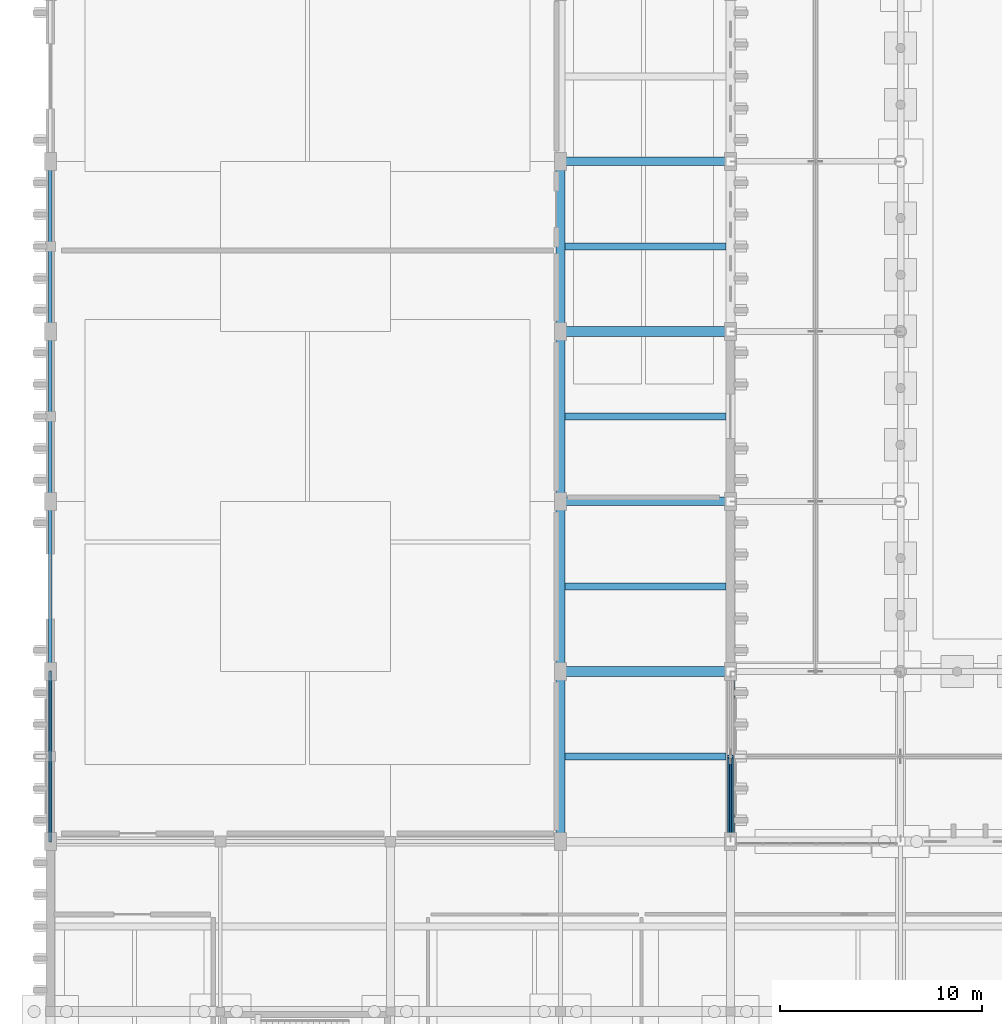
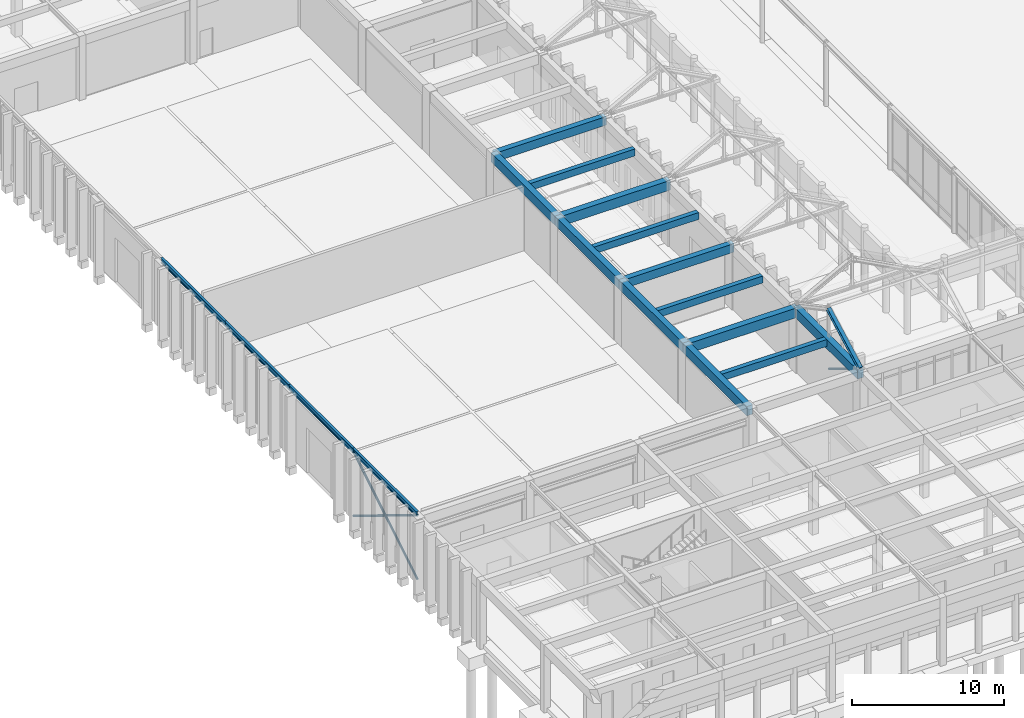
# One storey, part 27 of 143: 17 beams, 5 members.
"""IFC4 building model written with IfcOpenShell, lengths in metres."""

from ifc_helpers import new_model, si_unit, direction, frame, origin, origin_2d, place, context, subcontext, project, spatial, rectangle, hollow_circle, i_section, extrude, material, material_profile, profile_set, type_object, element, save


model = new_model("IFC4")

# Units and contexts
model_context = context("Model", 3, precision=1e-05, world=origin(), true_north=direction((0.0, 1.0)))
body_context = subcontext(model_context, "Body", "Model", "MODEL_VIEW")
ifc_project = project(units=[si_unit("LENGTHUNIT", "METRE"), si_unit("AREAUNIT", "SQUARE_METRE"), si_unit("VOLUMEUNIT", "CUBIC_METRE"), si_unit("PLANEANGLEUNIT", "RADIAN"), si_unit("MASSUNIT", "GRAM", prefix="KILO")], contexts=[model_context])

# Site, building, storey
site_placement = place(None, origin())
site = spatial("IfcSite", under=ifc_project, at=site_placement, CompositionType="ELEMENT")
building_placement = place(site_placement, origin())
building = spatial("IfcBuilding", under=site, at=building_placement, Name="Kveldsbrygga Polytechnic", CompositionType="ELEMENT")
storey_placement = place(building_placement, origin())
storey = spatial("IfcBuildingStorey", under=building, at=storey_placement, Name="L00", CompositionType="ELEMENT", Elevation=0.0)

# Beams
ifc_material_1 = material(Name="Concrete C35/45", Category="concrete")
ifc_material_profile_1 = material_profile(ifc_material_1, rectangle(XDim=0.419921875, YDim=0.679931640625, at=origin_2d()), Name="RC 420x680")
ifc_profile_set_1 = profile_set([ifc_material_profile_1], Name="Concrete C35/45")
beam_type_1 = type_object("IfcBeamType", Name="BM-RC-420x680", PredefinedType="BEAM", material=ifc_profile_set_1)
for number, where, z_axis, x_axis, name in (
    (1, (25.199951171875, 42.0, 4.760009765625), (1.0, 0.0, 0.0), (0.0, 1.0, 0.0), "Primary Beam BMX-L00-03to04-05"),
    (2, (25.199951171875, 58.800048828125, 4.760009765625), (1.0, 0.0, 0.0), (0.0, 1.0, 0.0), "Primary Beam BMX-L00-03to04-07"),
):
    element("IfcBeam", number, at=place(storey_placement, frame(where, z_axis=z_axis, x_axis=x_axis)), inside=storey, type_object=beam_type_1, Name=name, PredefinedType="BEAM", context=body_context, shape_type="SweptSolid", body=[
        extrude(rectangle(XDim=0.419921875, YDim=0.679931640625, at=origin_2d()), origin(), (0.0, 0.0, 1.0), 8.400146484375),
    ])
ifc_material_profile_2 = material_profile(ifc_material_1, rectangle(XDim=0.449951171875, YDim=0.75, at=origin_2d()), Name="RC 450x750")
ifc_profile_set_2 = profile_set([ifc_material_profile_2], Name="Concrete C35/45")
beam_type_2 = type_object("IfcBeamType", Name="BM-RC-450x750", PredefinedType="BEAM", material=ifc_profile_set_2)
beam_1_placement = place(storey_placement, frame((25.199951171875, 25.199951171875, 4.72509765625), z_axis=(0.0, 1.0, 0.0), x_axis=(-1.0, 0.0, 0.0)))
element("IfcBeam", 3, at=beam_1_placement, inside=storey, type_object=beam_type_2, Name="Primary Beam BMY-L00-03-03to04", PredefinedType="BEAM", context=body_context, shape_type="SweptSolid", body=[
    extrude(rectangle(XDim=0.449951171875, YDim=0.75, at=origin_2d()), origin(), (0.0, 0.0, 1.0), 8.400146484375),
])
for number, where, z_axis, x_axis, name in (
    (4, (25.199951171875, 33.60009765625, 4.72509765625), (0.0, 1.0, 0.0), (-1.0, 0.0, 0.0), "Primary Beam BMY-L00-03-04to05"),
    (5, (25.199951171875, 42.0, 4.72509765625), (0.0, 1.0, 0.0), (-1.0, 0.0, 0.0), "Primary Beam BMY-L00-03-05to06"),
):
    element("IfcBeam", number, at=place(storey_placement, frame(where, z_axis=z_axis, x_axis=x_axis)), inside=storey, type_object=beam_type_2, Name=name, PredefinedType="BEAM", context=body_context, shape_type="SweptSolid", body=[
        extrude(rectangle(XDim=0.449951171875, YDim=0.75, at=origin_2d()), origin(), (0.0, 0.0, 1.0), 8.39990234375),
    ])
for number, where, z_axis, x_axis, name in (
    (6, (25.199951171875, 50.39990234375, 4.72509765625), (0.0, 1.0, 0.0), (-1.0, 0.0, 0.0), "Primary Beam BMY-L00-03-06to07"),
    (7, (33.60009765625, 25.199951171875, 4.72509765625), (0.0, 1.0, 0.0), (-1.0, 0.0, 0.0), "Primary Beam BMY-L00-04-03to04"),
):
    element("IfcBeam", number, at=place(storey_placement, frame(where, z_axis=z_axis, x_axis=x_axis)), inside=storey, type_object=beam_type_2, Name=name, PredefinedType="BEAM", context=body_context, shape_type="SweptSolid", body=[
        extrude(rectangle(XDim=0.449951171875, YDim=0.75, at=origin_2d()), origin(), (0.0, 0.0, 1.0), 8.400146484375),
    ])
ifc_material_profile_3 = material_profile(ifc_material_1, rectangle(XDim=0.47998046875, YDim=0.780029296875, at=origin_2d()), Name="RC 480x780")
ifc_profile_set_3 = profile_set([ifc_material_profile_3], Name="Concrete C35/45")
beam_type_3 = type_object("IfcBeamType", Name="BM-RC-480x780", PredefinedType="BEAM", material=ifc_profile_set_3)
for number, where, z_axis, x_axis, name in (
    (8, (25.199951171875, 33.60009765625, 4.7099609375), (1.0, 0.0, 0.0), (0.0, 1.0, 0.0), "Primary Beam BMX-L00-03to04-04"),
    (9, (25.199951171875, 50.39990234375, 4.7099609375), (1.0, 0.0, 0.0), (0.0, 1.0, 0.0), "Primary Beam BMX-L00-03to04-06"),
):
    element("IfcBeam", number, at=place(storey_placement, frame(where, z_axis=z_axis, x_axis=x_axis)), inside=storey, type_object=beam_type_3, Name=name, PredefinedType="BEAM", context=body_context, shape_type="SweptSolid", body=[
        extrude(rectangle(XDim=0.47998046875, YDim=0.780029296875, at=origin_2d()), origin(), (0.0, 0.0, 1.0), 8.400146484375),
    ])
ifc_material_2 = material(Name="Steel S355", Category="steel")
ifc_material_profile_4 = material_profile(ifc_material_2, i_section(OverallWidth=0.179931640625, OverallDepth=0.39990234375, WebThickness=0.008544921875, FlangeThickness=0.013427734375, FilletRadius=0.02099609375, at=origin_2d()), Name="IPE 400")
ifc_profile_set_4 = profile_set([ifc_material_profile_4], Name="Steel S355")
beam_type_4 = type_object("IfcBeamType", Name="BM-STL-IPE400", PredefinedType="BEAM", material=ifc_profile_set_4)
beam_2_placement = place(storey_placement, frame((0.0, 25.199951171875, 5.239990234375), z_axis=(0.0, 1.0, 0.0), x_axis=(-1.0, 0.0, 0.0)))
element("IfcBeam", 10, at=beam_2_placement, inside=storey, type_object=beam_type_4, Name="Workshop Perimeter Girt Beam BMY-V1GRT-L00-W-03", PredefinedType="BEAM", context=body_context, shape_type="SweptSolid", body=[
    extrude(i_section(OverallWidth=0.179931640625, OverallDepth=0.39990234375, WebThickness=0.008544921875, FlangeThickness=0.013427734375, FilletRadius=0.02099609375, at=origin_2d()), origin(), (0.0, 0.0, 1.0), 8.400146484375),
])
for number, where, z_axis, x_axis, name in (
    (11, (0.0, 33.60009765625, 5.239990234375), (0.0, 1.0, 0.0), (-1.0, 0.0, 0.0), "Workshop Perimeter Girt Beam BMY-V1GRT-L00-W-04"),
    (12, (0.0, 42.0, 5.239990234375), (0.0, 1.0, 0.0), (-1.0, 0.0, 0.0), "Workshop Perimeter Girt Beam BMY-V1GRT-L00-W-05"),
):
    element("IfcBeam", number, at=place(storey_placement, frame(where, z_axis=z_axis, x_axis=x_axis)), inside=storey, type_object=beam_type_4, Name=name, PredefinedType="BEAM", context=body_context, shape_type="SweptSolid", body=[
        extrude(i_section(OverallWidth=0.179931640625, OverallDepth=0.39990234375, WebThickness=0.008544921875, FlangeThickness=0.013427734375, FilletRadius=0.02099609375, at=origin_2d()), origin(), (0.0, 0.0, 1.0), 8.39990234375),
    ])
beam_3_placement = place(storey_placement, frame((0.0, 50.39990234375, 5.239990234375), z_axis=(0.0, 1.0, 0.0), x_axis=(-1.0, 0.0, 0.0)))
element("IfcBeam", 13, at=beam_3_placement, inside=storey, type_object=beam_type_4, Name="Workshop Perimeter Girt Beam BMY-V1GRT-L00-W-06", PredefinedType="BEAM", context=body_context, shape_type="SweptSolid", body=[
    extrude(i_section(OverallWidth=0.179931640625, OverallDepth=0.39990234375, WebThickness=0.008544921875, FlangeThickness=0.013427734375, FilletRadius=0.02099609375, at=origin_2d()), origin(), (0.0, 0.0, 1.0), 8.400146484375),
])

# Members
ifc_material_profile_5 = material_profile(ifc_material_2, hollow_circle(Radius=0.084228515625, WallThickness=0.010009765625, at=origin_2d()), Name="CHS 168.3x10.0")
ifc_profile_set_5 = profile_set([ifc_material_profile_5], Name="Steel S355")
member_type_1 = type_object("IfcMemberType", Name="BR-WIND-CHS168", PredefinedType="BRACE", material=ifc_profile_set_5)
member_1_placement = place(storey_placement, frame((0.0, 25.199951171875, 0.0), z_axis=(0.0, 0.852989386754, 0.521928257603), x_axis=(-1.0, 0.0, 0.0)))
element("IfcMember", 14, at=member_1_placement, inside=storey, type_object=member_type_1, Name="Workshop Portal Continuous Brace VBR-L00-W-3-A", PredefinedType="BRACE", context=body_context, shape_type="SweptSolid", body=[
    extrude(hollow_circle(Radius=0.084228515625, WallThickness=0.010009765625, at=origin_2d()), origin(), (0.0, 0.0, 1.0), 9.847900390625),
])
for number, where, z_axis, x_axis, name in (
    (15, (0.0, 33.60009765625, 0.0), (0.0, -0.852990810736, 0.521925930377), (1.0, 0.0, 0.0), "Workshop Portal Split Brace VBR-L00-W-3-B1"),
    (16, (0.0, 29.3232421875, 2.616943359375), (0.0, -0.852990810736, 0.521925930377), (1.0, 0.0, 0.0), "Workshop Portal Split Brace VBR-L00-W-3-B2"),
    (17, (33.60009765625, 29.3232421875, 2.616943359375), (0.0, -0.852990810736, 0.521925930377), (1.0, 0.0, 0.0), "Workshop Portal Split Brace VBR-L00-E-3-B2"),
):
    element("IfcMember", number, at=place(storey_placement, frame(where, z_axis=z_axis, x_axis=x_axis)), inside=storey, type_object=member_type_1, Name=name, PredefinedType="BRACE", context=body_context, shape_type="SweptSolid", body=[
        extrude(hollow_circle(Radius=0.084228515625, WallThickness=0.010009765625, at=origin_2d()), origin(), (0.0, 0.0, 1.0), 4.833984375),
    ])

# Beams
ifc_material_profile_6 = material_profile(ifc_material_1, rectangle(XDim=0.340087890625, YDim=0.56005859375, at=origin_2d()), Name="RC 340x560")
ifc_profile_set_6 = profile_set([ifc_material_profile_6], Name="Concrete C35/45")
beam_type_5 = type_object("IfcBeamType", Name="JST-RC-340x560", PredefinedType="JOIST", material=ifc_profile_set_6)
for number, where, z_axis, x_axis, name in (
    (18, (25.425048828125, 37.800048828125, 4.820068359375), (1.0, 0.0, 0.0), (0.0, 1.0, 0.0), "Secondary Joist JST-L00-03-04"),
    (19, (25.425048828125, 54.60009765625, 4.820068359375), (1.0, 0.0, 0.0), (0.0, 1.0, 0.0), "Secondary Joist JST-L00-03-06"),
):
    element("IfcBeam", number, at=place(storey_placement, frame(where, z_axis=z_axis, x_axis=x_axis)), inside=storey, type_object=beam_type_5, Name=name, PredefinedType="JOIST", context=body_context, shape_type="SweptSolid", body=[
        extrude(rectangle(XDim=0.340087890625, YDim=0.56005859375, at=origin_2d()), origin(), (0.0, 0.0, 1.0), 7.949951171875),
    ])
ifc_material_profile_7 = material_profile(ifc_material_1, rectangle(XDim=0.35009765625, YDim=0.550048828125, at=origin_2d()), Name="RC 350x550")
ifc_profile_set_7 = profile_set([ifc_material_profile_7], Name="Concrete C35/45")
beam_type_6 = type_object("IfcBeamType", Name="JST-RC-350x550", PredefinedType="JOIST", material=ifc_profile_set_7)
for number, where, z_axis, x_axis, name in (
    (20, (25.425048828125, 29.39990234375, 4.824951171875), (1.0, 0.0, 0.0), (0.0, 1.0, 0.0), "Secondary Joist JST-L00-03-03"),
    (21, (25.425048828125, 46.199951171875, 4.824951171875), (1.0, 0.0, 0.0), (0.0, 1.0, 0.0), "Secondary Joist JST-L00-03-05"),
):
    element("IfcBeam", number, at=place(storey_placement, frame(where, z_axis=z_axis, x_axis=x_axis)), inside=storey, type_object=beam_type_6, Name=name, PredefinedType="JOIST", context=body_context, shape_type="SweptSolid", body=[
        extrude(rectangle(XDim=0.35009765625, YDim=0.550048828125, at=origin_2d()), origin(), (0.0, 0.0, 1.0), 7.949951171875),
    ])

# Member
ifc_material_profile_8 = material_profile(ifc_material_2, i_section(OverallWidth=0.280029296875, OverallDepth=0.280029296875, WebThickness=0.010498046875, FlangeThickness=0.01806640625, FilletRadius=0.02392578125, at=origin_2d()), Name="HEB 280")
ifc_profile_set_8 = profile_set([ifc_material_profile_8], Name="Steel S355")
member_type_2 = type_object("IfcMemberType", Name="TR-TOP-HEB280", PredefinedType="CHORD", material=ifc_profile_set_8)
member_2_placement = place(storey_placement, frame((33.60009765625, 25.199951171875, 5.139892578125), z_axis=(0.0, 0.881477684796, 0.472225678258), x_axis=(-1.0, 0.0, 0.0)))
element("IfcMember", 22, at=member_2_placement, inside=storey, type_object=member_type_2, Name="Truss Top Chord ARC-WS-T01-TC-1", PredefinedType="CHORD", context=body_context, shape_type="SweptSolid", body=[
    extrude(i_section(OverallWidth=0.280029296875, OverallDepth=0.280029296875, WebThickness=0.010498046875, FlangeThickness=0.01806640625, FilletRadius=0.02392578125, at=origin_2d()), origin(), (0.0, 0.0, 1.0), 4.7646484375),
])

save(model, "model.ifc")
